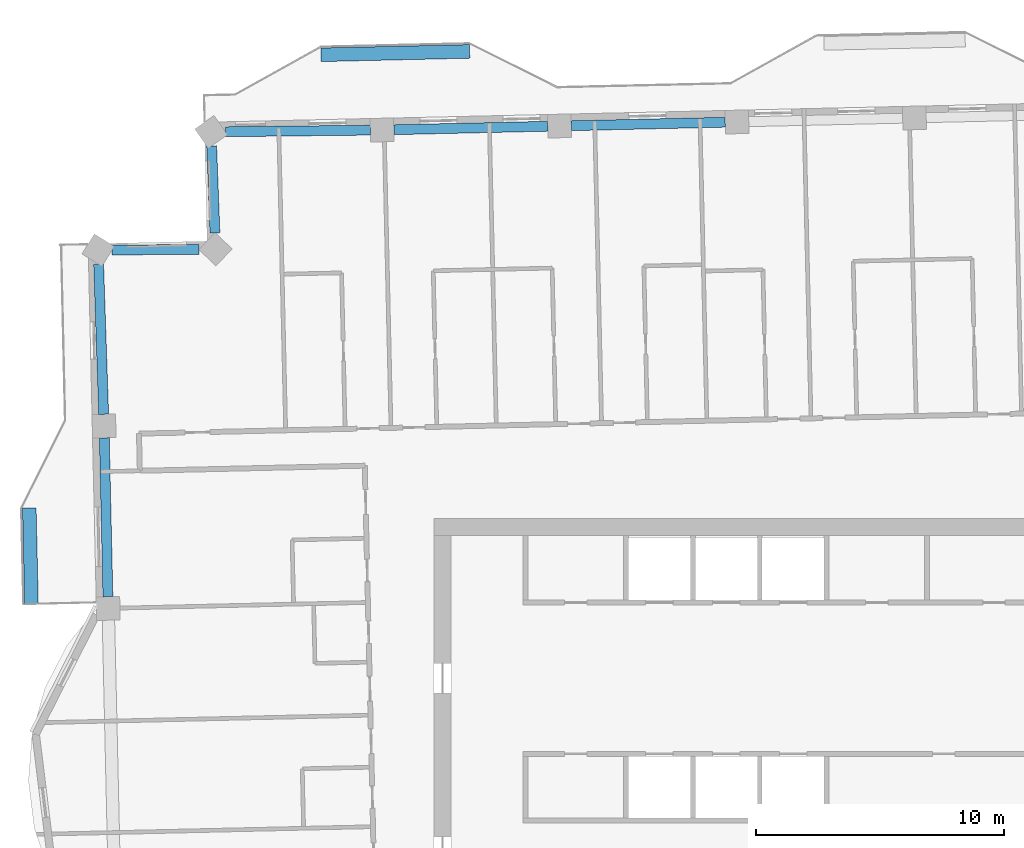
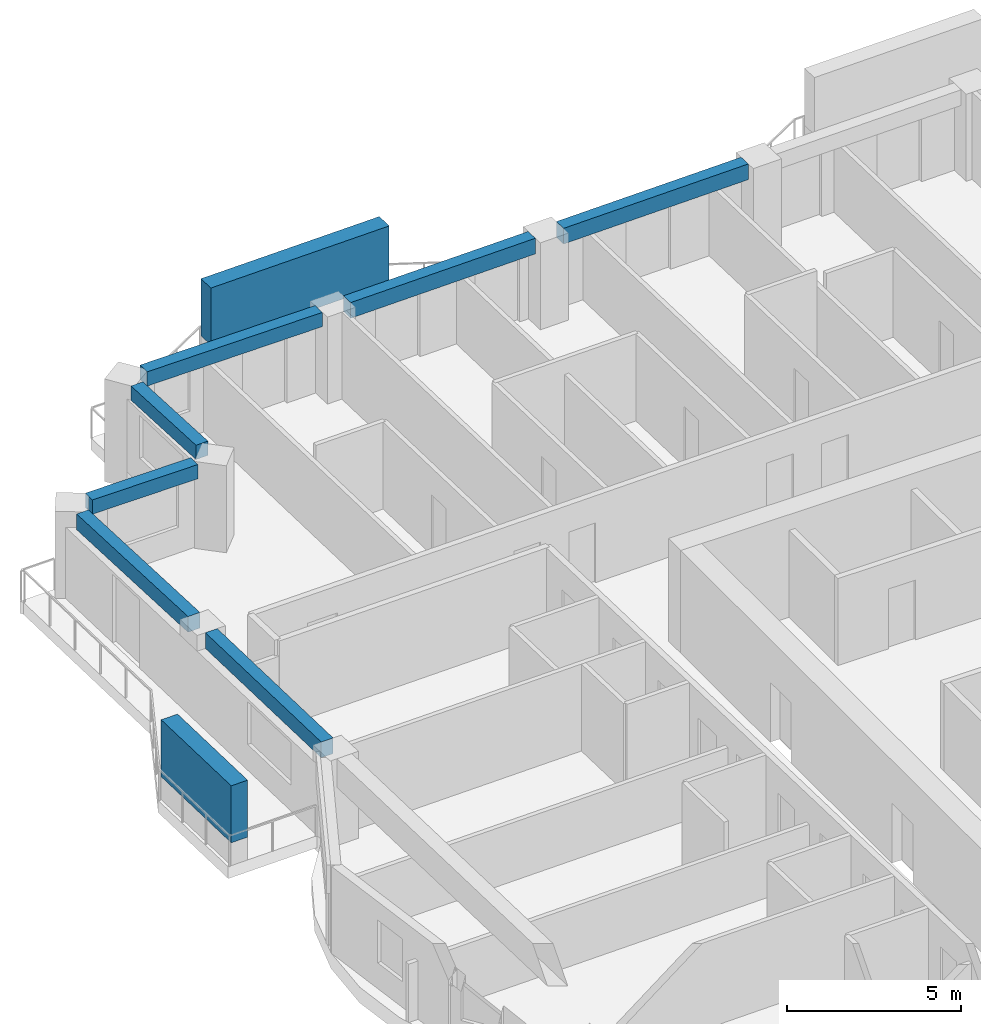
# One storey, part 3 of 20: 7 beams, 2 members.
"""IFC4 building model written with IfcOpenShell, lengths in metres."""

from ifc_helpers import new_model, si_unit, direction, frame, origin, origin_2d, place, context, subcontext, project, spatial, rectangle, extrude, material, material_profile, profile_set, type_object, element, save


model = new_model("IFC4")

# Units and contexts
model_context = context("Model", 3, precision=1e-05, world=origin(), true_north=direction((0.0, 1.0)))
body_context = subcontext(model_context, "Body", "Model", "MODEL_VIEW")
ifc_project = project(units=[si_unit("LENGTHUNIT", "METRE"), si_unit("AREAUNIT", "SQUARE_METRE"), si_unit("VOLUMEUNIT", "CUBIC_METRE"), si_unit("PLANEANGLEUNIT", "RADIAN"), si_unit("MASSUNIT", "GRAM", prefix="KILO")], contexts=[model_context])

# Site, building, storey
site_placement = place(None, origin())
site = spatial("IfcSite", under=ifc_project, at=site_placement, CompositionType="ELEMENT")
building_placement = place(site_placement, origin())
building = spatial("IfcBuilding", under=site, at=building_placement, Name="Mangrove Gate Tower", CompositionType="ELEMENT")
storey_placement = place(building_placement, frame((0.0, 0.0, 294.300048828125)))
storey = spatial("IfcBuildingStorey", under=building, at=storey_placement, Name="L75", CompositionType="ELEMENT", Elevation=294.300048828125)

# Members
ifc_material_1 = material(Name="Planting on aluminium trellis", Category="aluminium")
ifc_material_profile_1 = material_profile(ifc_material_1, rectangle(XDim=0.550048828125, YDim=2.0, at=origin_2d()))
ifc_profile_set_1 = profile_set([ifc_material_profile_1], Name="Planting on aluminium trellis")
member_type = type_object("IfcMemberType", Name="Balcony greenery screen 550x2000", PredefinedType="USERDEFINED", material=ifc_profile_set_1)
member_1_placement = place(storey_placement, frame((-19.052978515625, 30.2041015625, 1.800048828125), z_axis=(0.999743094499, 0.022665943652, 0.0), x_axis=(-0.022665943652, 0.999743094499, 0.0)))
element("IfcMember", 1, at=member_1_placement, inside=storey, type_object=member_type, Name="GREEN SCREEN L75 N1.1", ObjectType="PLANTING", PredefinedType="USERDEFINED", context=body_context, shape_type="SweptSolid", body=[
    extrude(rectangle(XDim=0.550048828125, YDim=2.0, at=origin_2d()), origin(), (0.0, 0.0, 1.0), 5.99951171875),
])
member_2_placement = place(storey_placement, frame((-30.736083984375, 8.04296875, 1.800048828125), z_axis=(-0.022681332769, 0.999742745482, 0.0), x_axis=(-0.999742745482, -0.022681332769, 0.0)))
element("IfcMember", 2, at=member_2_placement, inside=storey, type_object=member_type, Name="GREEN SCREEN L75 W0.1", ObjectType="PLANTING", PredefinedType="USERDEFINED", context=body_context, shape_type="SweptSolid", body=[
    extrude(rectangle(XDim=0.550048828125, YDim=2.0, at=origin_2d()), origin(), (0.0, 0.0, 1.0), 3.875),
])

# Beams
ifc_material_2 = material(Name="Concrete C50/60", Category="concrete")
ifc_material_profile_2 = material_profile(ifc_material_2, rectangle(XDim=0.39990234375, YDim=0.5, at=origin_2d()))
ifc_profile_set_2 = profile_set([ifc_material_profile_2], Name="Concrete C50/60")
beam_type_1 = type_object("IfcBeamType", Name="Edge beam RC 400x500 C50/60", PredefinedType="BEAM", material=ifc_profile_set_2)
beam_1_placement = place(storey_placement, frame((-17.064208984375, 27.163818359375, 2.800048828125), z_axis=(-0.999938328847, -0.011105786867, 0.0), x_axis=(0.011105786867, -0.999938328847, 0.0)))
element("IfcBeam", 3, at=beam_1_placement, inside=storey, type_object=beam_type_1, Name="Edge beam L75 28", PredefinedType="BEAM", context=body_context, shape_type="SweptSolid", body=[
    extrude(rectangle(XDim=0.39990234375, YDim=0.5, at=origin_2d()), origin(), (0.0, 0.0, 1.0), 5.847412109375),
])
beam_2_placement = place(storey_placement, frame((-23.46630859375, 26.52685546875, 2.800048828125), z_axis=(0.037803278798, -0.999285200587, 0.0), x_axis=(0.999285200587, 0.037803278798, 0.0)))
element("IfcBeam", 4, at=beam_2_placement, inside=storey, type_object=beam_type_1, Name="Edge beam L75 29", PredefinedType="BEAM", context=body_context, shape_type="SweptSolid", body=[
    extrude(rectangle(XDim=0.39990234375, YDim=0.5, at=origin_2d()), origin(), (0.0, 0.0, 1.0), 3.51318359375),
])
beam_3_placement = place(storey_placement, frame((-23.9697265625, 22.3505859375, 2.800048828125), z_axis=(-0.999978236017, -0.006597536803, 0.0), x_axis=(0.006597536803, -0.999978236017, 0.0)))
element("IfcBeam", 5, at=beam_3_placement, inside=storey, type_object=beam_type_1, Name="Edge beam L75 30", PredefinedType="BEAM", context=body_context, shape_type="SweptSolid", body=[
    extrude(rectangle(XDim=0.39990234375, YDim=0.5, at=origin_2d()), origin(), (0.0, 0.0, 1.0), 3.515380859375),
])
ifc_material_3 = material(Name="Concrete C50/60", Category="concrete")
ifc_material_profile_3 = material_profile(ifc_material_3, rectangle(XDim=0.39990234375, YDim=0.550048828125, at=origin_2d()))
ifc_profile_set_3 = profile_set([ifc_material_profile_3], Name="Concrete C50/60")
beam_type_2 = type_object("IfcBeamType", Name="Edge beam RC 400x550 C50/60", PredefinedType="BEAM", material=ifc_profile_set_3)
beam_4_placement = place(storey_placement, frame((-2.7431640625, 27.4833984375, 2.77490234375), z_axis=(-0.999741125002, -0.022752647749, 0.0), x_axis=(0.022752647749, -0.999741125002, 0.0)))
element("IfcBeam", 6, at=beam_4_placement, inside=storey, type_object=beam_type_2, Name="Edge beam L75 26", PredefinedType="BEAM", context=body_context, shape_type="SweptSolid", body=[
    extrude(rectangle(XDim=0.39990234375, YDim=0.550048828125, at=origin_2d()), origin(), (0.0, 0.0, 1.0), 6.212890625),
])
beam_5_placement = place(storey_placement, frame((-9.904052734375, 27.3203125, 2.77490234375), z_axis=(-0.999744607867, -0.022599093821, 0.0), x_axis=(0.022599093821, -0.999744607867, 0.0)))
element("IfcBeam", 7, at=beam_5_placement, inside=storey, type_object=beam_type_2, Name="Edge beam L75 27", PredefinedType="BEAM", context=body_context, shape_type="SweptSolid", body=[
    extrude(rectangle(XDim=0.39990234375, YDim=0.550048828125, at=origin_2d()), origin(), (0.0, 0.0, 1.0), 6.211669921875),
])
beam_6_placement = place(storey_placement, frame((-28.027099609375, 21.7529296875, 2.77490234375), z_axis=(0.033530874291, -0.999437682134, 0.0), x_axis=(0.999437682134, 0.033530874291, 0.0)))
element("IfcBeam", 8, at=beam_6_placement, inside=storey, type_object=beam_type_2, Name="Edge beam L75 31", PredefinedType="BEAM", context=body_context, shape_type="SweptSolid", body=[
    extrude(rectangle(XDim=0.39990234375, YDim=0.550048828125, at=origin_2d()), origin(), (0.0, 0.0, 1.0), 6.057861328125),
])
beam_7_placement = place(storey_placement, frame((-27.79736328125, 14.748779296875, 2.77490234375), z_axis=(0.022693727478, -0.999742464204, 0.0), x_axis=(0.999742464204, 0.022693727478, 0.0)))
element("IfcBeam", 9, at=beam_7_placement, inside=storey, type_object=beam_type_2, Name="Edge beam L75 32", PredefinedType="BEAM", context=body_context, shape_type="SweptSolid", body=[
    extrude(rectangle(XDim=0.39990234375, YDim=0.550048828125, at=origin_2d()), origin(), (0.0, 0.0, 1.0), 6.411865234375),
])

save(model, "model.ifc")
